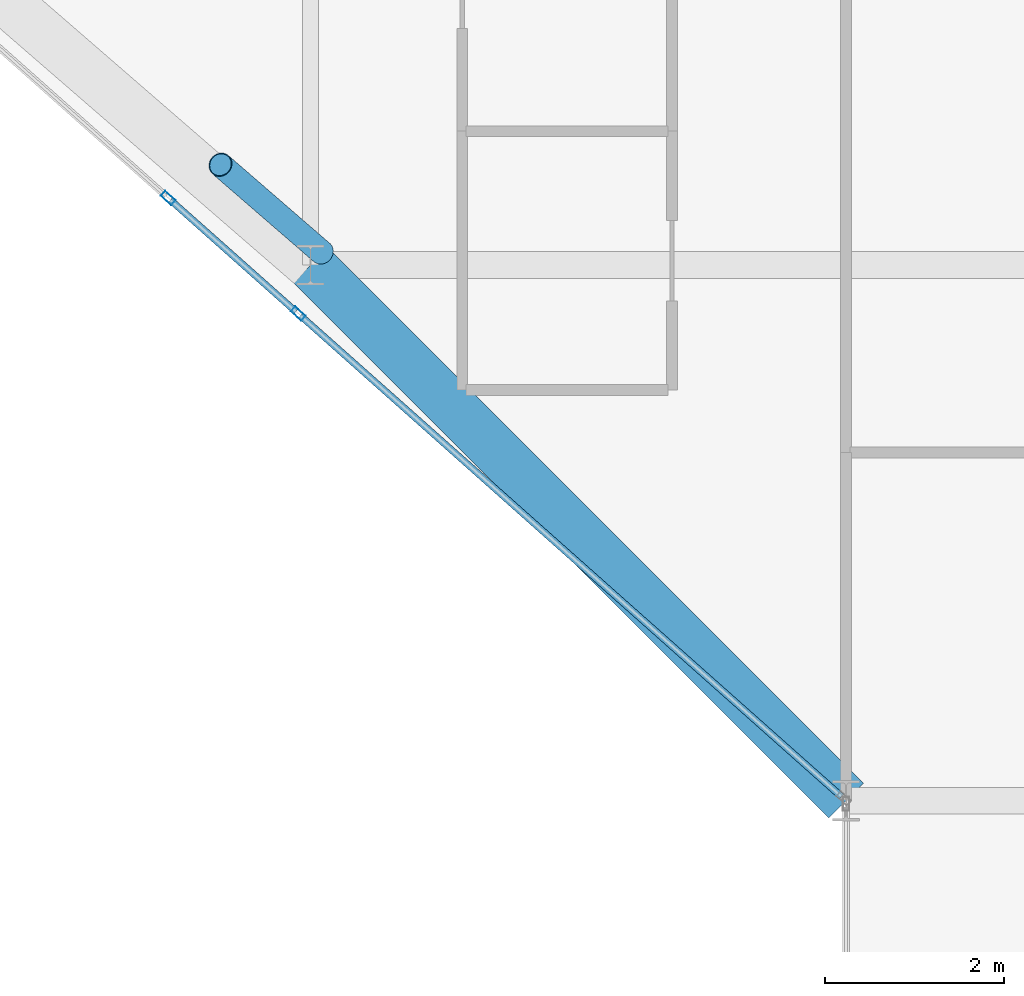
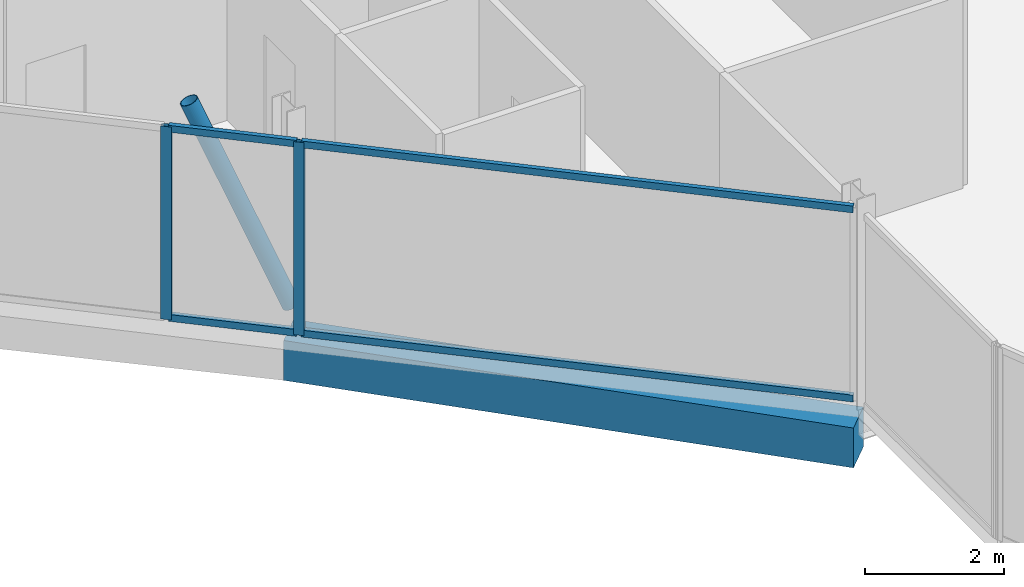
# One storey, part 4 of 29: 7 members, 1 beam, 2 elements without a shape of their own.
"""IFC4 building model written with IfcOpenShell, lengths in metres."""

import ifcopenshell
import ifcopenshell.guid

model = None  # the IFC model being written
_history = None  # IfcOwnerHistory: only IFC2X3 demands one
_inside = {}  # id of a spatial element -> (the spatial element, [elements in it])
_under = {}  # id of a project, library or spatial element -> (it, [spatial elements below it])
_declared = {}  # id of a project -> (the project, [libraries it declares])
_typed = {}  # id of a type object -> (the type object, [elements of that type])
_made_of = {}  # id of a material, layer set ... -> (it, [elements and type objects made of it])


def new_model(schema):
    """Start an empty IFC model of exactly this schema.

    Asked for "IFC4X3", IfcOpenShell would pick the latest addendum, in which some entities
    have other attributes; the version numbers below select the first issue.
    IFC2X3 requires an IfcOwnerHistory on every rooted entity: one is made here for all.
    """
    global model, _history
    if schema == "IFC4X3":
        model = ifcopenshell.file(schema_version=(4, 3, 0, 0))
    else:
        model = ifcopenshell.file(schema=schema)
    _inside.clear()
    _under.clear()
    _declared.clear()
    _typed.clear()
    _made_of.clear()
    _history = None
    if model.schema == "IFC2X3":
        org = make("IfcOrganization", Name="unknown")
        user = make(
            "IfcPersonAndOrganization",
            ThePerson=make("IfcPerson", FamilyName="unknown"),
            TheOrganization=org,
        )
        app = make(
            "IfcApplication",
            ApplicationDeveloper=org,
            Version="unknown",
            ApplicationFullName="unknown",
            ApplicationIdentifier="unknown",
        )
        _history = make(
            "IfcOwnerHistory",
            OwningUser=user,
            OwningApplication=app,
            ChangeAction="ADDED",
            CreationDate=0,
        )
    return model


def make(cls, **values):
    """One entity of the class cls with the attributes given. An attribute that is None is left unset."""
    return model.create_entity(
        cls, **{name: value for name, value in values.items() if value is not None}
    )


def rooted(cls, **values):
    """An entity with a GlobalId (a new one), such as an element, a storey or a relation."""
    return make(cls, GlobalId=ifcopenshell.guid.new(), OwnerHistory=_history, **values)


def si_unit(unit_type, name, prefix=None):
    """IfcSIUnit, for example si_unit("LENGTHUNIT", "METRE", prefix="MILLI")."""
    return make("IfcSIUnit", UnitType=unit_type, Prefix=prefix, Name=name)


def assignment(units):
    """IfcUnitAssignment: the units of a project."""
    return None if units is None else make("IfcUnitAssignment", Units=units)


def point(xyz):
    """IfcCartesianPoint."""
    return None if xyz is None else make("IfcCartesianPoint", Coordinates=xyz)


def direction(xyz):
    """IfcDirection."""
    return None if xyz is None else make("IfcDirection", DirectionRatios=xyz)


def frame(location, z_axis=None, x_axis=None):
    """IfcAxis2Placement3D, a coordinate frame: its origin and axes. An axis left out is left unset."""
    return make(
        "IfcAxis2Placement3D",
        Location=point(location),
        Axis=direction(z_axis),
        RefDirection=direction(x_axis),
    )


def frame_2d(location, x_axis=None):
    """IfcAxis2Placement2D, a coordinate frame in the plane: its origin and x axis."""
    return make(
        "IfcAxis2Placement2D", Location=point(location), RefDirection=direction(x_axis)
    )


def origin():
    """The frame at (0, 0, 0) with its axes left unset."""
    return frame((0.0, 0.0, 0.0))


def origin_2d():
    """The frame at (0, 0) in the plane with its x axis left unset."""
    return frame_2d((0.0, 0.0))


def place(relative_to, where):
    """IfcLocalPlacement: puts the frame where relative to a parent placement (None: the world)."""
    return make(
        "IfcLocalPlacement", PlacementRelTo=relative_to, RelativePlacement=where
    )


def context(
    kind, dimensions, precision=None, world=None, true_north=None, identifier=None
):
    """IfcGeometricRepresentationContext, for example the 3D "Model" context."""
    return make(
        "IfcGeometricRepresentationContext",
        ContextIdentifier=identifier,
        ContextType=kind,
        CoordinateSpaceDimension=dimensions,
        Precision=precision,
        WorldCoordinateSystem=world,
        TrueNorth=true_north,
    )


def subcontext(parent, identifier, kind, view, scale=None):
    """IfcGeometricRepresentationSubContext, for example "Body" below "Model"."""
    return make(
        "IfcGeometricRepresentationSubContext",
        ContextIdentifier=identifier,
        ContextType=kind,
        ParentContext=parent,
        TargetScale=scale,
        TargetView=view,
    )


def project(units=None, contexts=None):
    """IfcProject with its units and contexts."""
    return rooted(
        "IfcProject",
        Name="project",
        RepresentationContexts=contexts,
        UnitsInContext=assignment(units),
    )


def spatial(cls, under=None, at=None, **own):
    """A site, building, storey or space (cls), placed at a placement, below another one or the project."""
    s = rooted(cls, ObjectPlacement=at, **own)
    if under is not None:
        _under.setdefault(under.id(), (under, []))[1].append(s)
    return s


def profile(cls, at=None, kind="AREA", **sizes):
    """A parametric profile (cls). Its sizes go by their IFC names, for example OverallWidth=200.0."""
    return make(cls, ProfileType=kind, Position=at, **sizes)


def rectangle(**sizes):
    """IfcRectangleProfileDef."""
    return profile("IfcRectangleProfileDef", **sizes)


def hollow_rectangle(**sizes):
    """IfcRectangleHollowProfileDef."""
    return profile("IfcRectangleHollowProfileDef", **sizes)


def hollow_circle(**sizes):
    """IfcCircleHollowProfileDef."""
    return profile("IfcCircleHollowProfileDef", **sizes)


def extrude(swept, where, along, depth):
    """IfcExtrudedAreaSolid: the profile swept, set in the frame where, extruded along a direction by depth."""
    return make(
        "IfcExtrudedAreaSolid",
        SweptArea=swept,
        Position=where,
        ExtrudedDirection=direction(along),
        Depth=depth,
    )


def shape(context_of_items, identifier, shape_type, items):
    """IfcShapeRepresentation: the items that make up one representation, for example the "Body"."""
    return make(
        "IfcShapeRepresentation",
        ContextOfItems=context_of_items,
        RepresentationIdentifier=identifier,
        RepresentationType=shape_type,
        Items=items,
    )


def material(Name=None, Category=None):
    """IfcMaterial."""
    return make("IfcMaterial", Name=Name, Category=Category)


def layer(
    of_material, thickness, ventilated=None, Name=None, Category=None, Priority=None
):
    """IfcMaterialLayer: one layer of a wall or slab, of a material (None: an air gap)."""
    return make(
        "IfcMaterialLayer",
        Material=of_material,
        LayerThickness=thickness,
        IsVentilated=ventilated,
        Name=Name,
        Category=Category,
        Priority=Priority,
    )


def layer_set(layers, Name=None):
    """IfcMaterialLayerSet."""
    return make("IfcMaterialLayerSet", MaterialLayers=layers, LayerSetName=Name)


def material_profile(
    of_material, cross_section, Name=None, Category=None, Priority=None
):
    """IfcMaterialProfile: a cross section and its material."""
    return make(
        "IfcMaterialProfile",
        Name=Name,
        Material=of_material,
        Profile=cross_section,
        Priority=Priority,
        Category=Category,
    )


def profile_set(profiles, Name=None, composite=None):
    """IfcMaterialProfileSet."""
    return make(
        "IfcMaterialProfileSet",
        Name=Name,
        MaterialProfiles=profiles,
        CompositeProfile=composite,
    )


def made_of(thing, what):
    """Note that an element or type object is made of a material, layer set ...; save() writes the relation."""
    if what is not None:
        _made_of.setdefault(what.id(), (what, []))[1].append(thing)
    return thing


def type_object(cls, material=None, **own):
    """A type object (cls), such as IfcWallType, which elements share."""
    return made_of(rooted(cls, **own), material)


def element(
    cls,
    number,
    at=None,
    inside=None,
    cuts=None,
    type_object=None,
    material=None,
    context=None,
    identifier="Body",
    shape_type=None,
    held_by="IfcProductDefinitionShape",
    body=None,
    shapes=None,
    **own,
):
    """One element of the class cls, such as IfcWall. Its Tag is "e" and its number.

    at: its placement. inside: the storey or other place that contains it. cuts: it is an
    opening in that element (IfcRelVoidsElement). A single representation is given by context,
    identifier, shape_type and body (its items); several are given by shapes. held_by: the class
    of the entity that holds the representations. save() writes the other relations.
    """
    e = rooted(cls, Tag="e%d" % number, ObjectPlacement=at, **own)
    if body is not None:
        shapes = [shape(context, identifier, shape_type, body)]
    if shapes is not None:
        e.Representation = make(held_by, Representations=shapes)
    if inside is not None:
        _inside.setdefault(inside.id(), (inside, []))[1].append(e)
    if cuts is not None:
        rooted(
            "IfcRelVoidsElement", RelatingBuildingElement=cuts, RelatedOpeningElement=e
        )
    if type_object is not None:
        _typed.setdefault(type_object.id(), (type_object, []))[1].append(e)
    return made_of(e, material)


def aggregate(whole, parts):
    """IfcRelAggregates: a whole, such as a stair, and the parts it consists of."""
    return rooted("IfcRelAggregates", RelatingObject=whole, RelatedObjects=parts)


def save(model, path):
    """Write the relations noted so far, then the file.

    IfcRelAggregates (storeys below a building ...), IfcRelContainedInSpatialStructure (elements
    in a storey), IfcRelDefinesByType, IfcRelAssociatesMaterial and IfcRelDeclares: one each for
    every whole, place, type object, material and project.
    """
    for whole, parts in _under.values():
        aggregate(whole, parts)
    for where, things in _inside.values():
        rooted(
            "IfcRelContainedInSpatialStructure",
            RelatedElements=things,
            RelatingStructure=where,
        )
    for kind, things in _typed.values():
        rooted("IfcRelDefinesByType", RelatedObjects=things, RelatingType=kind)
    for what, things in _made_of.values():
        rooted("IfcRelAssociatesMaterial", RelatedObjects=things, RelatingMaterial=what)
    for by, libraries in _declared.values():
        rooted("IfcRelDeclares", RelatingContext=by, RelatedDefinitions=libraries)
    model.write(path)


model = new_model("IFC4")

# Units and contexts
model_context = context("Model", 3, precision=1e-05, world=origin(), true_north=direction((0.0, 1.0)))
body_context = subcontext(model_context, "Body", "Model", "MODEL_VIEW")
ifc_project = project(units=[si_unit("LENGTHUNIT", "METRE"), si_unit("AREAUNIT", "SQUARE_METRE"), si_unit("VOLUMEUNIT", "CUBIC_METRE"), si_unit("PLANEANGLEUNIT", "RADIAN"), si_unit("MASSUNIT", "GRAM", prefix="KILO")], contexts=[model_context])

# Site, building, storey
site_placement = place(None, origin())
site = spatial("IfcSite", under=ifc_project, at=site_placement, CompositionType="ELEMENT")
building_placement = place(site_placement, origin())
building = spatial("IfcBuilding", under=site, at=building_placement, Name="Keshet Zoharim Tower", CompositionType="ELEMENT")
storey_placement = place(building_placement, frame((0.0, 0.0, 222.800048828125)))
storey = spatial("IfcBuildingStorey", under=building, at=storey_placement, Name="L55", CompositionType="ELEMENT", Elevation=222.800048828125)

# Beam
ifc_material_1 = material(Name="Concrete C50/60", Category="concrete")
ifc_material_profile_1 = material_profile(ifc_material_1, rectangle(XDim=0.550048828125, YDim=0.699951171875, at=origin_2d()), Name="RC700x550")
ifc_profile_set_1 = profile_set([ifc_material_profile_1], Name="Concrete C50/60")
beam_type = type_object("IfcBeamType", Name="BM-SPN-700", PredefinedType="SPANDREL", material=ifc_profile_set_1)
beam_placement = place(storey_placement, frame((21.0, 6.699951171875, -0.66015625), z_axis=(-0.707106781187, 0.707106781187, 0.0), x_axis=(-0.707106781187, -0.707106781187, 0.0)))
element("IfcBeam", 1, at=beam_placement, inside=storey, type_object=beam_type, Name="L55 Perimeter Spandrel Beam 01", PredefinedType="SPANDREL", context=body_context, shape_type="SweptSolid", body=[
    extrude(rectangle(XDim=0.550048828125, YDim=0.699951171875, at=origin_2d()), origin(), (0.0, 0.0, 1.0), 8.4853515625),
])

# Curtain wall, member
ifc_material_2 = material(Name="Aluminium 6063-T6", Category="aluminium")
ifc_layer = layer(ifc_material_2, 0.139892578125)
ifc_layer_set = layer_set([ifc_layer], Name="Aluminium 6063-T6")
curtain_wall_type = type_object("IfcCurtainWallType", Name="CW-SYS-05", PredefinedType="NOTDEFINED", material=ifc_layer_set)
curtain_wall_1_placement = place(storey_placement, origin())
curtain_wall_1 = element("IfcCurtainWall", 2, at=curtain_wall_1_placement, inside=storey, type_object=curtain_wall_type, Name="L55 Unitised Curtain Wall 10", PredefinedType="NOTDEFINED")
ifc_material_profile_2 = material_profile(ifc_material_2, hollow_rectangle(XDim=0.074951171875, YDim=0.159912109375, WallThickness=0.00390625, at=origin_2d()), Name="MUL-75x160")
ifc_profile_set_2 = profile_set([ifc_material_profile_2], Name="Aluminium 6063-T6")
member_type_1 = type_object("IfcMemberType", Name="CWM-M15", PredefinedType="MULLION", material=ifc_profile_set_2)
member_1_placement = place(storey_placement, frame((14.863037109375, 12.155029296875, 0.0), z_axis=(0.0, 0.0, 1.0), x_axis=(-0.664363086114, -0.747409987764, 0.0)))
member_1 = element("IfcMember", 3, at=member_1_placement, type_object=member_type_1, Name="CW-05 mullion 2", PredefinedType="MULLION", context=body_context, shape_type="SweptSolid", body=[
    extrude(hollow_rectangle(XDim=0.074951171875, YDim=0.159912109375, WallThickness=0.00390625, at=origin_2d()), origin(), (0.0, 0.0, 1.0), 3.389892578125),
])

curtain_wall_2_placement = place(storey_placement, origin())
curtain_wall_2 = element("IfcCurtainWall", 4, at=curtain_wall_2_placement, inside=storey, type_object=curtain_wall_type, Name="L55 Unitised Curtain Wall 10 Part 2", PredefinedType="NOTDEFINED")
member_2_placement = place(storey_placement, frame((13.40576171875, 13.450439453125, 0.0), z_axis=(0.0, 0.0, 1.0), x_axis=(-0.664367022375, -0.747406488853, 0.0)))
member_2 = element("IfcMember", 5, at=member_2_placement, type_object=member_type_1, Name="CW-05 mullion 2", PredefinedType="MULLION", context=body_context, shape_type="SweptSolid", body=[
    extrude(hollow_rectangle(XDim=0.074951171875, YDim=0.159912109375, WallThickness=0.00390625, at=origin_2d()), origin(), (0.0, 0.0, 1.0), 3.389892578125),
])

# Member
ifc_material_profile_3 = material_profile(ifc_material_2, hollow_rectangle(XDim=0.074951171875, YDim=0.1201171875, WallThickness=0.00390625, at=origin_2d()), Name="TRN-75x120")
ifc_profile_set_3 = profile_set([ifc_material_profile_3], Name="Aluminium 6063-T6")
member_type_2 = type_object("IfcMemberType", Name="CWT-T12", PredefinedType="USERDEFINED", material=ifc_profile_set_3)
member_3_placement = place(storey_placement, frame((20.94775390625, 6.74658203125, 0.034912109375), z_axis=(-0.747419288843, 0.664352622231, 0.0), x_axis=(-0.664352622231, -0.747419288843, 0.0)))
member_3 = element("IfcMember", 6, at=member_3_placement, type_object=member_type_2, Name="CW-05 transom 1.1", ObjectType="TRANSOM", PredefinedType="USERDEFINED", context=body_context, shape_type="SweptSolid", body=[
    extrude(hollow_rectangle(XDim=0.074951171875, YDim=0.1201171875, WallThickness=0.00390625, at=origin_2d()), origin(), (0.0, 0.0, 1.0), 8.10595703125),
])

member_4_placement = place(storey_placement, frame((20.94775390625, 6.74658203125, 3.35498046875), z_axis=(-0.747419288843, 0.664352622231, 0.0), x_axis=(-0.664352622231, -0.747419288843, 0.0)))
member_4 = element("IfcMember", 7, at=member_4_placement, type_object=member_type_2, Name="CW-05 transom 1.2", ObjectType="TRANSOM", PredefinedType="USERDEFINED", context=body_context, shape_type="SweptSolid", body=[
    extrude(hollow_rectangle(XDim=0.074951171875, YDim=0.1201171875, WallThickness=0.00390625, at=origin_2d()), origin(), (0.0, 0.0, 1.0), 8.10595703125),
])

aggregate(curtain_wall_1, [member_1, member_3, member_4])

member_5_placement = place(storey_placement, frame((14.8369140625, 12.17822265625, 0.034912109375), z_axis=(-0.747387819236, 0.66438802492, 0.0), x_axis=(-0.66438802492, -0.747387819236, 0.0)))
member_5 = element("IfcMember", 8, at=member_5_placement, type_object=member_type_2, Name="CW-05 transom 1.1", ObjectType="TRANSOM", PredefinedType="USERDEFINED", context=body_context, shape_type="SweptSolid", body=[
    extrude(hollow_rectangle(XDim=0.074951171875, YDim=0.1201171875, WallThickness=0.00390625, at=origin_2d()), origin(), (0.0, 0.0, 1.0), 1.879638671875),
])

member_6_placement = place(storey_placement, frame((14.8369140625, 12.17822265625, 3.35498046875), z_axis=(-0.747387819236, 0.66438802492, 0.0), x_axis=(-0.66438802492, -0.747387819236, 0.0)))
member_6 = element("IfcMember", 9, at=member_6_placement, type_object=member_type_2, Name="CW-05 transom 1.2", ObjectType="TRANSOM", PredefinedType="USERDEFINED", context=body_context, shape_type="SweptSolid", body=[
    extrude(hollow_rectangle(XDim=0.074951171875, YDim=0.1201171875, WallThickness=0.00390625, at=origin_2d()), origin(), (0.0, 0.0, 1.0), 1.879638671875),
])

aggregate(curtain_wall_2, [member_2, member_5, member_6])

ifc_material_3 = material(Name="Steel S355", Category="steel")
ifc_material_profile_4 = material_profile(ifc_material_3, hollow_circle(Radius=0.136474609375, WallThickness=0.010009765625, at=origin_2d()), Name="CHS273x10")
ifc_profile_set_4 = profile_set([ifc_material_profile_4], Name="Steel S355")
member_type_3 = type_object("IfcMemberType", Name="MB-BR-C273", PredefinedType="BRACE", material=ifc_profile_set_4)
member_7_placement = place(storey_placement, frame((15.1259765625, 12.842041015625, 0.0), z_axis=(-0.305919508672, 0.264888754334, 0.914465528077), x_axis=(-0.654589683411, -0.755984355904, 0.0)))
element("IfcMember", 10, at=member_7_placement, inside=storey, type_object=member_type_3, Name="L55 Perimeter Tube Brace 01", PredefinedType="BRACE", context=body_context, shape_type="SweptSolid", body=[
    extrude(hollow_circle(Radius=0.136474609375, WallThickness=0.010009765625, at=origin_2d()), origin(), (0.0, 0.0, 1.0), 3.70703125),
])

save(model, "model.ifc")
